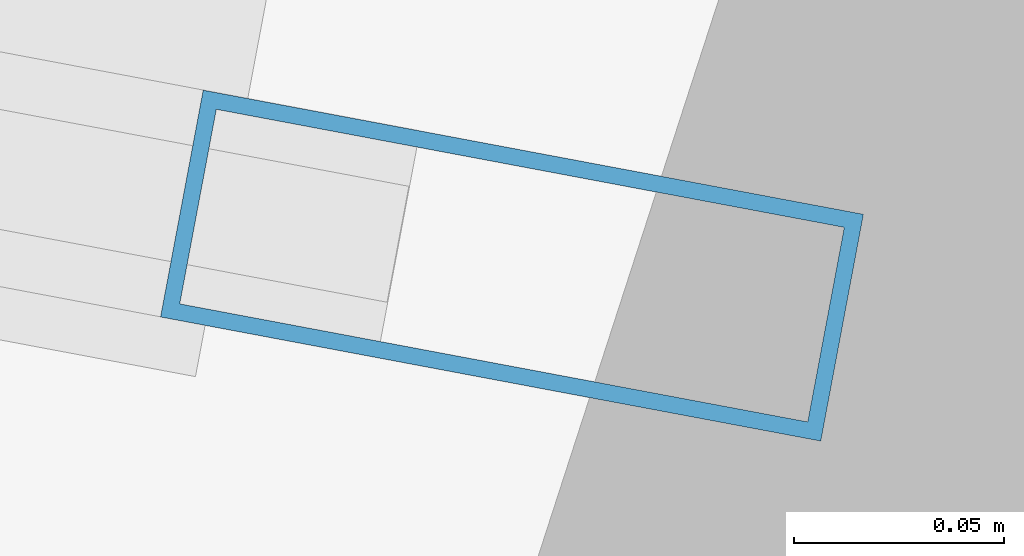
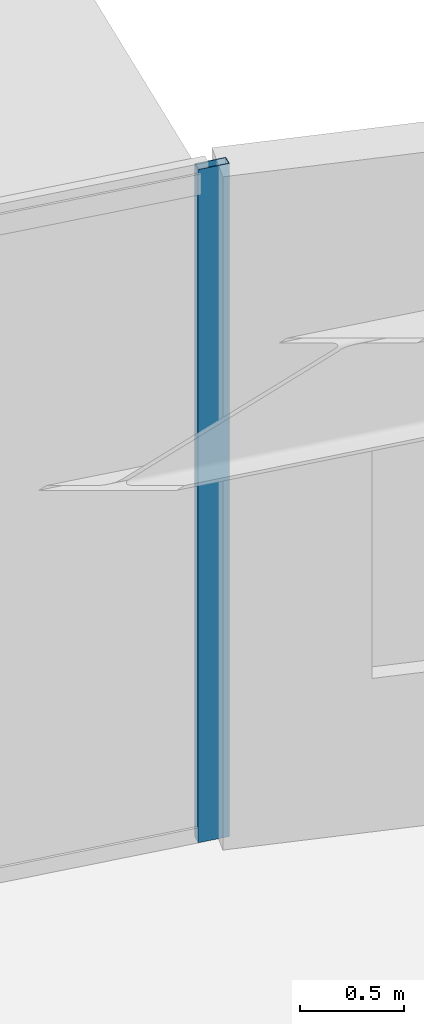
# One storey, part 12 of 35: 1 member, 1 element without a shape of its own.
"""IFC4 building model written with IfcOpenShell, lengths in metres."""

from ifc_helpers import new_model, si_unit, direction, frame, origin, origin_2d, place, context, subcontext, project, spatial, hollow_rectangle, extrude, source, transform, mapped, material, layer, layer_set, material_profile, profile_set, type_object, element, aggregate, save


model = new_model("IFC4")

# Units and contexts
model_context = context("Model", 3, precision=1e-05, world=origin(), true_north=direction((0.0, 1.0)))
body_context = subcontext(model_context, "Body", "Model", "MODEL_VIEW")
ifc_project = project(units=[si_unit("LENGTHUNIT", "METRE"), si_unit("AREAUNIT", "SQUARE_METRE"), si_unit("VOLUMEUNIT", "CUBIC_METRE"), si_unit("PLANEANGLEUNIT", "RADIAN"), si_unit("MASSUNIT", "GRAM", prefix="KILO")], contexts=[model_context])

# Site, building, storey
site_placement = place(None, origin())
site = spatial("IfcSite", under=ifc_project, at=site_placement, CompositionType="ELEMENT")
building_placement = place(site_placement, origin())
building = spatial("IfcBuilding", under=site, at=building_placement, Name="Linh Dai School and Residence Tower", CompositionType="ELEMENT")
storey_placement = place(building_placement, frame((0.0, 0.0, 49.199951171875)))
storey = spatial("IfcBuildingStorey", under=building, at=storey_placement, Name="L11", CompositionType="ELEMENT", Elevation=49.199951171875)

# Curtain wall, member
ifc_material_1 = material(Name="Aluminium Anodised Curtain Wall", Category="aluminium")
ifc_layer = layer(ifc_material_1, 0.159912109375)
ifc_layer_set = layer_set([ifc_layer], Name="Aluminium Anodised Curtain Wall")
curtain_wall_type = type_object("IfcCurtainWallType", Name="CW-SYS-3", PredefinedType="USERDEFINED", material=ifc_layer_set)
curtain_wall_placement = place(storey_placement, origin())
curtain_wall = element("IfcCurtainWall", 1, at=curtain_wall_placement, inside=storey, type_object=curtain_wall_type, Name="L11 CW3 Curtain Wall 09", ObjectType="RIBBON CURTAIN WALL", PredefinedType="USERDEFINED")
ifc_material_2 = material(Name="Aluminium Alloy 6063-T6", Category="aluminium")
ifc_material_profile = material_profile(ifc_material_2, hollow_rectangle(XDim=0.054931640625, YDim=0.159912109375, WallThickness=0.00390625, at=origin_2d()), Name="RHS 160x55x4")
ifc_profile_set = profile_set([ifc_material_profile], Name="Aluminium Alloy 6063-T6")
member_type = type_object("IfcMemberType", Name="CW-SYS-3-MUL", PredefinedType="MULLION", material=ifc_profile_set)
shared_shape = source(origin(), body_context, "Body", "SweptSolid", [
    extrude(hollow_rectangle(XDim=0.054931640625, YDim=0.159912109375, WallThickness=0.00390625, at=origin_2d()), origin(), (0.0, 0.0, 1.0), 3.949951171875),
])
member_placement = place(storey_placement, frame((45.58349609375, 50.1181640625, 0.0), z_axis=(0.0, 0.0, 1.0), x_axis=(0.184747948944, 0.982785935675, 0.0)))
member = element("IfcMember", 2, at=member_placement, type_object=member_type, Name="CW3 mullion 3", PredefinedType="MULLION", context=body_context, shape_type="MappedRepresentation", body=[
    mapped(shared_shape, transform((0.0, 0.0, 0.0), x_axis=(1.0, 0.0, 0.0), y_axis=(0.0, 1.0, 0.0), z_axis=(0.0, 0.0, 1.0), scale=1.0)),
])
aggregate(curtain_wall, [member])

save(model, "model.ifc")
